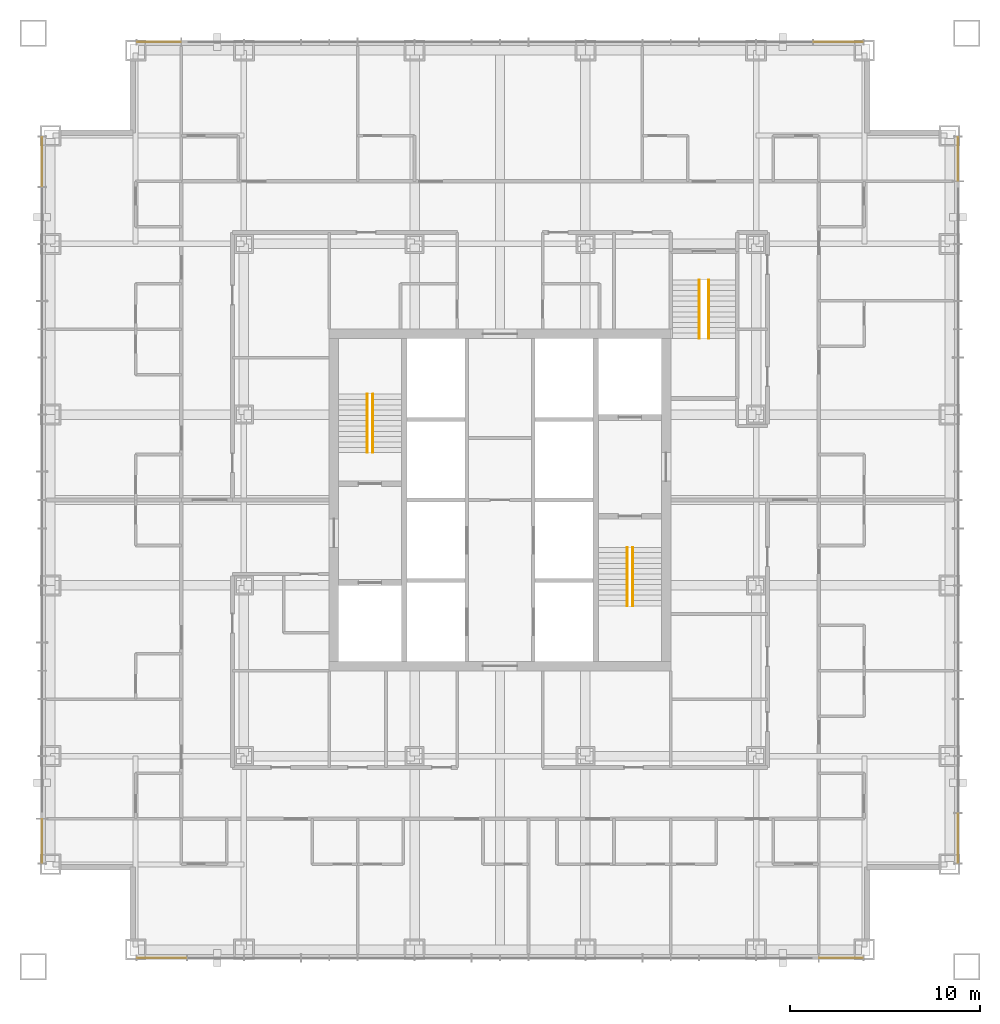
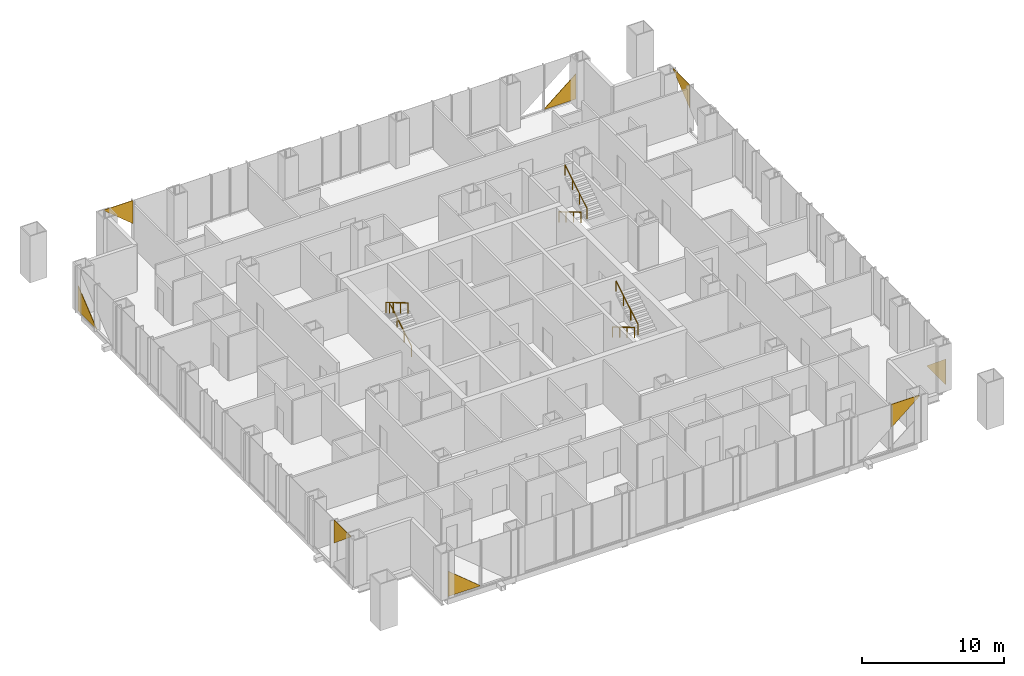
# One storey, part 14 of 18: 8 coverings, 6 railings.
"""IFC4 building model written with IfcOpenShell, lengths in metres."""

from ifc_helpers import new_model, si_unit, direction, frame, origin, origin_2d, place, context, subcontext, project, spatial, polyline, circle, outline, extrude, material, layer, layer_set, type_object, element, save


model = new_model("IFC4")

# Units and contexts
model_context = context("Model", 3, precision=1e-05, world=origin(), true_north=direction((0.0, 1.0)))
body_context = subcontext(model_context, "Body", "Model", "MODEL_VIEW")
ifc_project = project(units=[si_unit("LENGTHUNIT", "METRE"), si_unit("AREAUNIT", "SQUARE_METRE"), si_unit("VOLUMEUNIT", "CUBIC_METRE"), si_unit("PLANEANGLEUNIT", "RADIAN"), si_unit("MASSUNIT", "GRAM", prefix="KILO")], contexts=[model_context])

# Site, building, storey
site_placement = place(None, origin())
site = spatial("IfcSite", under=ifc_project, at=site_placement, CompositionType="ELEMENT")
building_placement = place(site_placement, origin())
building = spatial("IfcBuilding", under=site, at=building_placement, Name="Malebo Sky Hospital", CompositionType="ELEMENT")
storey_placement = place(building_placement, frame((0.0, 0.0, 132.0)))
storey = spatial("IfcBuildingStorey", under=building, at=storey_placement, Name="L31", CompositionType="ELEMENT", Elevation=132.0)

# Coverings
ifc_material_1 = material(Name="Anodised aluminium, natural silver insulated infill panel", Category="aluminium")
ifc_layer = layer(ifc_material_1, 0.0400390625)
ifc_layer_set = layer_set([ifc_layer], Name="BRACE INFILL PANEL 40")
covering_type = type_object("IfcCoveringType", Name="BRACE INFILL PANEL 40", PredefinedType="CLADDING", material=ifc_layer_set)
covering_1_placement = place(storey_placement, frame((42.018798828125, 86.135009765625, 2.012939453125), z_axis=(0.0, 0.0, 1.0), x_axis=(1.0, 0.0, 0.0)))
element("IfcCovering", 1, at=covering_1_placement, inside=storey, type_object=covering_type, Name="Brace infill panel 1.1", PredefinedType="CLADDING", context=body_context, shape_type="SweptSolid", body=[
    extrude(outline(polyline([(1.143798828125, 0.0), (1.143798828125, 1.97705078125), (-1.143798828125, 1.97705078125), (-1.143798828125, 1.88525390625), (1.143798828125, 0.0)])), frame((0.0, 0.02001953125, 0.0), z_axis=(0.0, -1.0, 0.0), x_axis=(1.0, 0.0, 0.0)), (0.0, 0.0, 1.0), 0.0400390625),
])
covering_2_placement = place(storey_placement, frame((77.831298828125, 86.135009765625, 0.10009765625), z_axis=(0.0, 0.0, 1.0), x_axis=(1.0, 0.0, 0.0)))
element("IfcCovering", 2, at=covering_2_placement, inside=storey, type_object=covering_type, Name="Brace infill panel 16.1", PredefinedType="CLADDING", context=body_context, shape_type="SweptSolid", body=[
    extrude(outline(polyline([(-1.293701171875, 0.0), (1.293701171875, 0.0), (1.293701171875, 2.177001953125), (-1.293701171875, 0.04443359375), (-1.293701171875, 0.0)])), frame((0.0, 0.02001953125, 0.0), z_axis=(0.0, -1.0, 0.0), x_axis=(1.0, 0.0, 0.0)), (0.0, 0.0, 1.0), 0.0400390625),
])
covering_3_placement = place(storey_placement, frame((35.864990234375, 44.018798828125, 2.012939453125), z_axis=(0.0, 0.0, 1.0), x_axis=(0.0, 1.0, 0.0)))
element("IfcCovering", 3, at=covering_3_placement, inside=storey, type_object=covering_type, Name="Brace infill panel 1.1", PredefinedType="CLADDING", context=body_context, shape_type="SweptSolid", body=[
    extrude(outline(polyline([(1.143798828125, 0.0), (1.143798828125, 1.97705078125), (-1.143798828125, 1.97705078125), (-1.143798828125, 1.88525390625), (1.143798828125, 0.0)])), frame((0.0, 0.02001953125, 0.0), z_axis=(0.0, -1.0, 0.0), x_axis=(1.0, 0.0, 0.0)), (0.0, 0.0, 1.0), 0.0400390625),
])
covering_4_placement = place(storey_placement, frame((35.864990234375, 79.831298828125, 0.10009765625), z_axis=(0.0, 0.0, 1.0), x_axis=(0.0, 1.0, 0.0)))
element("IfcCovering", 4, at=covering_4_placement, inside=storey, type_object=covering_type, Name="Brace infill panel 16.1", PredefinedType="CLADDING", context=body_context, shape_type="SweptSolid", body=[
    extrude(outline(polyline([(-1.293701171875, 0.0), (1.293701171875, 0.0), (1.293701171875, 2.177001953125), (-1.293701171875, 0.04443359375), (-1.293701171875, 0.0)])), frame((0.0, 0.02001953125, 0.0), z_axis=(0.0, -1.0, 0.0), x_axis=(1.0, 0.0, 0.0)), (0.0, 0.0, 1.0), 0.0400390625),
])
covering_5_placement = place(storey_placement, frame((77.981201171875, 37.864990234375, 2.012939453125), z_axis=(0.0, 0.0, 1.0), x_axis=(-1.0, 0.0, 0.0)))
element("IfcCovering", 5, at=covering_5_placement, inside=storey, type_object=covering_type, Name="Brace infill panel 1.1", PredefinedType="CLADDING", context=body_context, shape_type="SweptSolid", body=[
    extrude(outline(polyline([(1.143798828125, 0.0), (1.143798828125, 1.97705078125), (-1.143798828125, 1.97705078125), (-1.143798828125, 1.88525390625), (1.143798828125, 0.0)])), frame((0.0, 0.02001953125, 0.0), z_axis=(0.0, -1.0, 0.0), x_axis=(1.0, 0.0, 0.0)), (0.0, 0.0, 1.0), 0.0400390625),
])
covering_6_placement = place(storey_placement, frame((42.168701171875, 37.864990234375, 0.10009765625), z_axis=(0.0, 0.0, 1.0), x_axis=(-1.0, 0.0, 0.0)))
element("IfcCovering", 6, at=covering_6_placement, inside=storey, type_object=covering_type, Name="Brace infill panel 16.1", PredefinedType="CLADDING", context=body_context, shape_type="SweptSolid", body=[
    extrude(outline(polyline([(-1.293701171875, 0.0), (1.293701171875, 0.0), (1.293701171875, 2.177001953125), (-1.293701171875, 0.04443359375), (-1.293701171875, 0.0)])), frame((0.0, 0.02001953125, 0.0), z_axis=(0.0, -1.0, 0.0), x_axis=(1.0, 0.0, 0.0)), (0.0, 0.0, 1.0), 0.0400390625),
])
covering_7_placement = place(storey_placement, frame((84.135009765625, 79.981201171875, 2.012939453125), z_axis=(0.0, 0.0, 1.0), x_axis=(0.0, -1.0, 0.0)))
element("IfcCovering", 7, at=covering_7_placement, inside=storey, type_object=covering_type, Name="Brace infill panel 1.1", PredefinedType="CLADDING", context=body_context, shape_type="SweptSolid", body=[
    extrude(outline(polyline([(1.143798828125, 0.0), (1.143798828125, 1.97705078125), (-1.143798828125, 1.97705078125), (-1.143798828125, 1.88525390625), (1.143798828125, 0.0)])), frame((0.0, 0.02001953125, 0.0), z_axis=(0.0, -1.0, 0.0), x_axis=(1.0, 0.0, 0.0)), (0.0, 0.0, 1.0), 0.0400390625),
])
covering_8_placement = place(storey_placement, frame((84.135009765625, 44.168701171875, 0.10009765625), z_axis=(0.0, 0.0, 1.0), x_axis=(0.0, -1.0, 0.0)))
element("IfcCovering", 8, at=covering_8_placement, inside=storey, type_object=covering_type, Name="Brace infill panel 16.1", PredefinedType="CLADDING", context=body_context, shape_type="SweptSolid", body=[
    extrude(outline(polyline([(-1.293701171875, 0.0), (1.293701171875, 0.0), (1.293701171875, 2.177001953125), (-1.293701171875, 0.04443359375), (-1.293701171875, 0.0)])), frame((0.0, 0.02001953125, 0.0), z_axis=(0.0, -1.0, 0.0), x_axis=(1.0, 0.0, 0.0)), (0.0, 0.0, 1.0), 0.0400390625),
])

# Railings
ifc_material_2 = material(Name="Stainless steel tube", Category="steel")
railing_type = type_object("IfcRailingType", Name="STAIR HANDRAIL 900", PredefinedType="HANDRAIL", material=ifc_material_2)
railing_1_placement = place(storey_placement, frame((53.300048828125, 64.5, 0.166748046875)))
element("IfcRailing", 9, at=railing_1_placement, inside=storey, type_object=railing_type, Name="Stair handrail S1 flight 1", PredefinedType="HANDRAIL", context=body_context, shape_type="SweptSolid", body=[
    extrude(circle(Radius=0.02392578125, at=origin_2d()), frame((0.0, 0.0, 0.8759765625), z_axis=(0.0, 0.859308565015, 0.511457515432), x_axis=(-1.0, 0.0, 0.0)), (0.0, 0.0, 1.0), 3.58447265625),
    extrude(circle(Radius=0.02099609375, at=origin_2d()), origin(), (0.0, 0.0, 1.0), 0.851806640625),
    extrude(circle(Radius=0.02099609375, at=origin_2d()), frame((0.0, 1.026611328125, 0.611083984375)), (0.0, 0.0, 1.0), 0.851806640625),
    extrude(circle(Radius=0.02099609375, at=origin_2d()), frame((0.0, 2.053466796875, 1.22216796875)), (0.0, 0.0, 1.0), 0.851806640625),
    extrude(circle(Radius=0.02099609375, at=origin_2d()), frame((0.0, 3.080078125, 1.833251953125)), (0.0, 0.0, 1.0), 0.851806640625),
])
for number, where, name in (
    (10, (53.0, 67.580078125, 2.166748046875), "Stair handrail S1 flight 2"),
    (11, (66.699951171875, 59.5, 0.166748046875), "Stair handrail S2 flight 1"),
):
    element("IfcRailing", number, at=place(storey_placement, frame(where)), inside=storey, type_object=railing_type, Name=name, PredefinedType="HANDRAIL", context=body_context, shape_type="SweptSolid", body=[
        extrude(circle(Radius=0.02392578125, at=origin_2d()), frame((0.0, 0.0, 0.8759765625), z_axis=(0.0, -0.859308565015, 0.511457515432), x_axis=(1.0, 0.0, 0.0)), (0.0, 0.0, 1.0), 3.58447265625),
        extrude(circle(Radius=0.02099609375, at=origin_2d()), origin(), (0.0, 0.0, 1.0), 0.851806640625),
        extrude(circle(Radius=0.02099609375, at=origin_2d()), frame((0.0, -1.026611328125, 0.611083984375)), (0.0, 0.0, 1.0), 0.851806640625),
        extrude(circle(Radius=0.02099609375, at=origin_2d()), frame((0.0, -2.053466796875, 1.22216796875)), (0.0, 0.0, 1.0), 0.851806640625),
        extrude(circle(Radius=0.02099609375, at=origin_2d()), frame((0.0, -3.080078125, 1.833251953125)), (0.0, 0.0, 1.0), 0.851806640625),
    ])
railing_2_placement = place(storey_placement, frame((67.0, 56.419921875, 2.166748046875)))
element("IfcRailing", 12, at=railing_2_placement, inside=storey, type_object=railing_type, Name="Stair handrail S2 flight 2", PredefinedType="HANDRAIL", context=body_context, shape_type="SweptSolid", body=[
    extrude(circle(Radius=0.02392578125, at=origin_2d()), frame((0.0, 0.0, 0.8759765625), z_axis=(0.0, 0.859308565015, 0.511457515432), x_axis=(-1.0, 0.0, 0.0)), (0.0, 0.0, 1.0), 3.58447265625),
    extrude(circle(Radius=0.02099609375, at=origin_2d()), origin(), (0.0, 0.0, 1.0), 0.851806640625),
    extrude(circle(Radius=0.02099609375, at=origin_2d()), frame((0.0, 1.026611328125, 0.611083984375)), (0.0, 0.0, 1.0), 0.851806640625),
    extrude(circle(Radius=0.02099609375, at=origin_2d()), frame((0.0, 2.053466796875, 1.22216796875)), (0.0, 0.0, 1.0), 0.851806640625),
    extrude(circle(Radius=0.02099609375, at=origin_2d()), frame((0.0, 3.080078125, 1.833251953125)), (0.0, 0.0, 1.0), 0.851806640625),
])
railing_3_placement = place(storey_placement, frame((70.5, 73.60009765625, 0.166748046875)))
element("IfcRailing", 13, at=railing_3_placement, inside=storey, type_object=railing_type, Name="Stair handrail S3 flight 1", PredefinedType="HANDRAIL", context=body_context, shape_type="SweptSolid", body=[
    extrude(circle(Radius=0.02392578125, at=origin_2d()), frame((0.0, 0.0, 0.8759765625), z_axis=(0.0, -0.859308565015, 0.511457515432), x_axis=(1.0, 0.0, 0.0)), (0.0, 0.0, 1.0), 3.58447265625),
    extrude(circle(Radius=0.02099609375, at=origin_2d()), origin(), (0.0, 0.0, 1.0), 0.851806640625),
    extrude(circle(Radius=0.02099609375, at=origin_2d()), frame((0.0, -1.026611328125, 0.611083984375)), (0.0, 0.0, 1.0), 0.851806640625),
    extrude(circle(Radius=0.02099609375, at=origin_2d()), frame((0.0, -2.053466796875, 1.22216796875)), (0.0, 0.0, 1.0), 0.851806640625),
    extrude(circle(Radius=0.02099609375, at=origin_2d()), frame((0.0, -3.080078125, 1.833251953125)), (0.0, 0.0, 1.0), 0.851806640625),
])
railing_4_placement = place(storey_placement, frame((71.0, 70.52001953125, 2.166748046875)))
element("IfcRailing", 14, at=railing_4_placement, inside=storey, type_object=railing_type, Name="Stair handrail S3 flight 2", PredefinedType="HANDRAIL", context=body_context, shape_type="SweptSolid", body=[
    extrude(circle(Radius=0.02392578125, at=origin_2d()), frame((0.0, 0.0, 0.8759765625), z_axis=(0.0, 0.859308565015, 0.511457515432), x_axis=(-1.0, 0.0, 0.0)), (0.0, 0.0, 1.0), 3.58447265625),
    extrude(circle(Radius=0.02099609375, at=origin_2d()), origin(), (0.0, 0.0, 1.0), 0.851806640625),
    extrude(circle(Radius=0.02099609375, at=origin_2d()), frame((0.0, 1.026611328125, 0.611083984375)), (0.0, 0.0, 1.0), 0.851806640625),
    extrude(circle(Radius=0.02099609375, at=origin_2d()), frame((0.0, 2.053466796875, 1.22216796875)), (0.0, 0.0, 1.0), 0.851806640625),
    extrude(circle(Radius=0.02099609375, at=origin_2d()), frame((0.0, 3.080078125, 1.833251953125)), (0.0, 0.0, 1.0), 0.851806640625),
])

save(model, "model.ifc")
